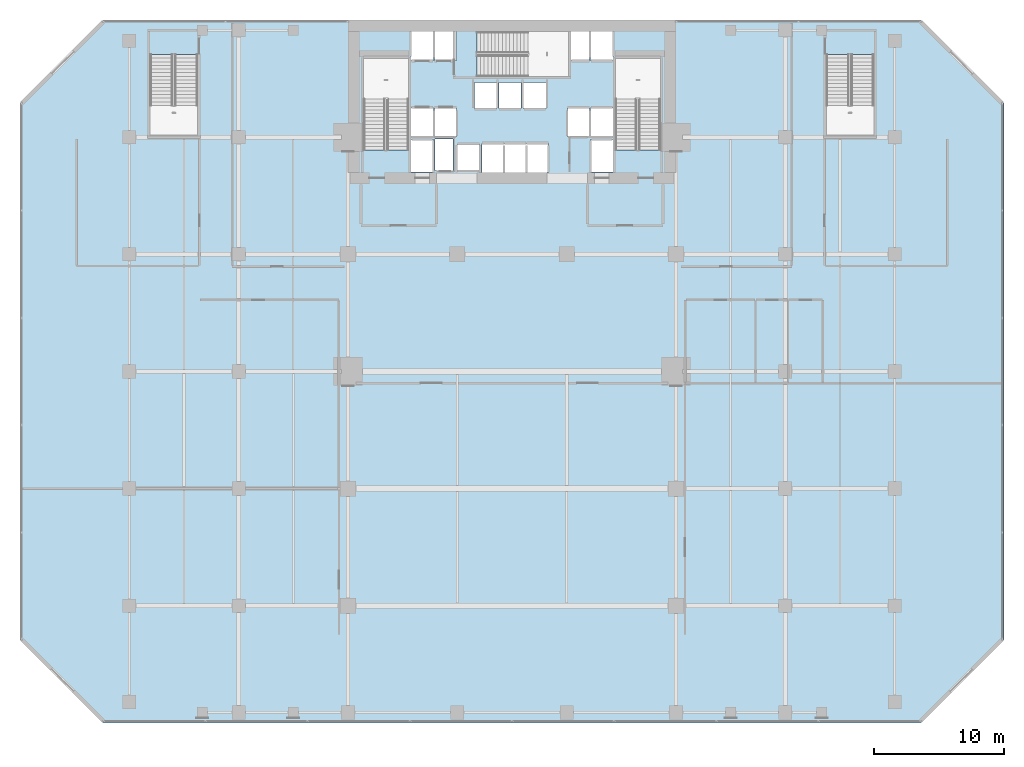
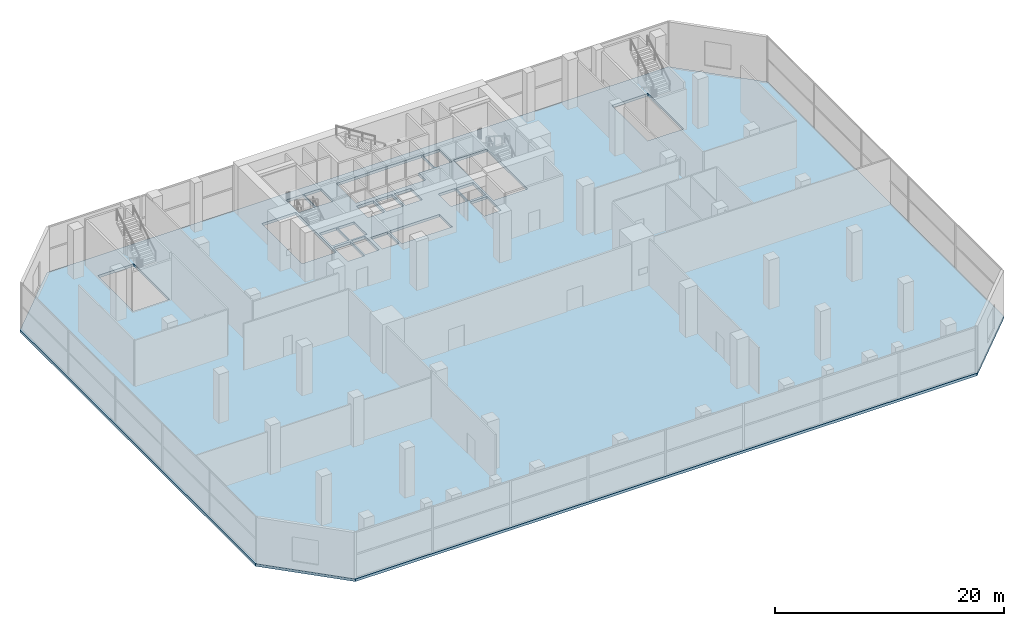
# One storey, part 32 of 40: 1 slab.
"""IFC4 building model written with IfcOpenShell, lengths in metres."""

import ifcopenshell
import ifcopenshell.guid

model = None  # the IFC model being written
_history = None  # IfcOwnerHistory: only IFC2X3 demands one
_inside = {}  # id of a spatial element -> (the spatial element, [elements in it])
_under = {}  # id of a project, library or spatial element -> (it, [spatial elements below it])
_declared = {}  # id of a project -> (the project, [libraries it declares])
_typed = {}  # id of a type object -> (the type object, [elements of that type])
_made_of = {}  # id of a material, layer set ... -> (it, [elements and type objects made of it])


def new_model(schema):
    """Start an empty IFC model of exactly this schema.

    Asked for "IFC4X3", IfcOpenShell would pick the latest addendum, in which some entities
    have other attributes; the version numbers below select the first issue.
    IFC2X3 requires an IfcOwnerHistory on every rooted entity: one is made here for all.
    """
    global model, _history
    if schema == "IFC4X3":
        model = ifcopenshell.file(schema_version=(4, 3, 0, 0))
    else:
        model = ifcopenshell.file(schema=schema)
    _inside.clear()
    _under.clear()
    _declared.clear()
    _typed.clear()
    _made_of.clear()
    _history = None
    if model.schema == "IFC2X3":
        org = make("IfcOrganization", Name="unknown")
        user = make(
            "IfcPersonAndOrganization",
            ThePerson=make("IfcPerson", FamilyName="unknown"),
            TheOrganization=org,
        )
        app = make(
            "IfcApplication",
            ApplicationDeveloper=org,
            Version="unknown",
            ApplicationFullName="unknown",
            ApplicationIdentifier="unknown",
        )
        _history = make(
            "IfcOwnerHistory",
            OwningUser=user,
            OwningApplication=app,
            ChangeAction="ADDED",
            CreationDate=0,
        )
    return model


def make(cls, **values):
    """One entity of the class cls with the attributes given. An attribute that is None is left unset."""
    return model.create_entity(
        cls, **{name: value for name, value in values.items() if value is not None}
    )


def rooted(cls, **values):
    """An entity with a GlobalId (a new one), such as an element, a storey or a relation."""
    return make(cls, GlobalId=ifcopenshell.guid.new(), OwnerHistory=_history, **values)


def si_unit(unit_type, name, prefix=None):
    """IfcSIUnit, for example si_unit("LENGTHUNIT", "METRE", prefix="MILLI")."""
    return make("IfcSIUnit", UnitType=unit_type, Prefix=prefix, Name=name)


def assignment(units):
    """IfcUnitAssignment: the units of a project."""
    return None if units is None else make("IfcUnitAssignment", Units=units)


def point(xyz):
    """IfcCartesianPoint."""
    return None if xyz is None else make("IfcCartesianPoint", Coordinates=xyz)


def direction(xyz):
    """IfcDirection."""
    return None if xyz is None else make("IfcDirection", DirectionRatios=xyz)


def frame(location, z_axis=None, x_axis=None):
    """IfcAxis2Placement3D, a coordinate frame: its origin and axes. An axis left out is left unset."""
    return make(
        "IfcAxis2Placement3D",
        Location=point(location),
        Axis=direction(z_axis),
        RefDirection=direction(x_axis),
    )


def origin():
    """The frame at (0, 0, 0) with its axes left unset."""
    return frame((0.0, 0.0, 0.0))


def place(relative_to, where):
    """IfcLocalPlacement: puts the frame where relative to a parent placement (None: the world)."""
    return make(
        "IfcLocalPlacement", PlacementRelTo=relative_to, RelativePlacement=where
    )


def context(
    kind, dimensions, precision=None, world=None, true_north=None, identifier=None
):
    """IfcGeometricRepresentationContext, for example the 3D "Model" context."""
    return make(
        "IfcGeometricRepresentationContext",
        ContextIdentifier=identifier,
        ContextType=kind,
        CoordinateSpaceDimension=dimensions,
        Precision=precision,
        WorldCoordinateSystem=world,
        TrueNorth=true_north,
    )


def subcontext(parent, identifier, kind, view, scale=None):
    """IfcGeometricRepresentationSubContext, for example "Body" below "Model"."""
    return make(
        "IfcGeometricRepresentationSubContext",
        ContextIdentifier=identifier,
        ContextType=kind,
        ParentContext=parent,
        TargetScale=scale,
        TargetView=view,
    )


def project(units=None, contexts=None):
    """IfcProject with its units and contexts."""
    return rooted(
        "IfcProject",
        Name="project",
        RepresentationContexts=contexts,
        UnitsInContext=assignment(units),
    )


def spatial(cls, under=None, at=None, **own):
    """A site, building, storey or space (cls), placed at a placement, below another one or the project."""
    s = rooted(cls, ObjectPlacement=at, **own)
    if under is not None:
        _under.setdefault(under.id(), (under, []))[1].append(s)
    return s


def polyline(points):
    """IfcPolyline through the points."""
    return make("IfcPolyline", Points=[point(p) for p in points])


def outline(outer, holes=None, kind="AREA"):
    """IfcArbitraryClosedProfileDef: a profile drawn as a closed curve; with holes, ...WithVoids."""
    if holes is None:
        return make("IfcArbitraryClosedProfileDef", ProfileType=kind, OuterCurve=outer)
    return make(
        "IfcArbitraryProfileDefWithVoids",
        ProfileType=kind,
        OuterCurve=outer,
        InnerCurves=holes,
    )


def extrude(swept, where, along, depth):
    """IfcExtrudedAreaSolid: the profile swept, set in the frame where, extruded along a direction by depth."""
    return make(
        "IfcExtrudedAreaSolid",
        SweptArea=swept,
        Position=where,
        ExtrudedDirection=direction(along),
        Depth=depth,
    )


def shape(context_of_items, identifier, shape_type, items):
    """IfcShapeRepresentation: the items that make up one representation, for example the "Body"."""
    return make(
        "IfcShapeRepresentation",
        ContextOfItems=context_of_items,
        RepresentationIdentifier=identifier,
        RepresentationType=shape_type,
        Items=items,
    )


def material(Name=None, Category=None):
    """IfcMaterial."""
    return make("IfcMaterial", Name=Name, Category=Category)


def layer(
    of_material, thickness, ventilated=None, Name=None, Category=None, Priority=None
):
    """IfcMaterialLayer: one layer of a wall or slab, of a material (None: an air gap)."""
    return make(
        "IfcMaterialLayer",
        Material=of_material,
        LayerThickness=thickness,
        IsVentilated=ventilated,
        Name=Name,
        Category=Category,
        Priority=Priority,
    )


def layer_set(layers, Name=None):
    """IfcMaterialLayerSet."""
    return make("IfcMaterialLayerSet", MaterialLayers=layers, LayerSetName=Name)


def made_of(thing, what):
    """Note that an element or type object is made of a material, layer set ...; save() writes the relation."""
    if what is not None:
        _made_of.setdefault(what.id(), (what, []))[1].append(thing)
    return thing


def type_object(cls, material=None, **own):
    """A type object (cls), such as IfcWallType, which elements share."""
    return made_of(rooted(cls, **own), material)


def element(
    cls,
    number,
    at=None,
    inside=None,
    cuts=None,
    type_object=None,
    material=None,
    context=None,
    identifier="Body",
    shape_type=None,
    held_by="IfcProductDefinitionShape",
    body=None,
    shapes=None,
    **own,
):
    """One element of the class cls, such as IfcWall. Its Tag is "e" and its number.

    at: its placement. inside: the storey or other place that contains it. cuts: it is an
    opening in that element (IfcRelVoidsElement). A single representation is given by context,
    identifier, shape_type and body (its items); several are given by shapes. held_by: the class
    of the entity that holds the representations. save() writes the other relations.
    """
    e = rooted(cls, Tag="e%d" % number, ObjectPlacement=at, **own)
    if body is not None:
        shapes = [shape(context, identifier, shape_type, body)]
    if shapes is not None:
        e.Representation = make(held_by, Representations=shapes)
    if inside is not None:
        _inside.setdefault(inside.id(), (inside, []))[1].append(e)
    if cuts is not None:
        rooted(
            "IfcRelVoidsElement", RelatingBuildingElement=cuts, RelatedOpeningElement=e
        )
    if type_object is not None:
        _typed.setdefault(type_object.id(), (type_object, []))[1].append(e)
    return made_of(e, material)


def aggregate(whole, parts):
    """IfcRelAggregates: a whole, such as a stair, and the parts it consists of."""
    return rooted("IfcRelAggregates", RelatingObject=whole, RelatedObjects=parts)


def save(model, path):
    """Write the relations noted so far, then the file.

    IfcRelAggregates (storeys below a building ...), IfcRelContainedInSpatialStructure (elements
    in a storey), IfcRelDefinesByType, IfcRelAssociatesMaterial and IfcRelDeclares: one each for
    every whole, place, type object, material and project.
    """
    for whole, parts in _under.values():
        aggregate(whole, parts)
    for where, things in _inside.values():
        rooted(
            "IfcRelContainedInSpatialStructure",
            RelatedElements=things,
            RelatingStructure=where,
        )
    for kind, things in _typed.values():
        rooted("IfcRelDefinesByType", RelatedObjects=things, RelatingType=kind)
    for what, things in _made_of.values():
        rooted("IfcRelAssociatesMaterial", RelatedObjects=things, RelatingMaterial=what)
    for by, libraries in _declared.values():
        rooted("IfcRelDeclares", RelatingContext=by, RelatedDefinitions=libraries)
    model.write(path)


model = new_model("IFC4")

# Units and contexts
model_context = context("Model", 3, precision=1e-05, world=origin(), true_north=direction((0.0, 1.0)))
body_context = subcontext(model_context, "Body", "Model", "MODEL_VIEW")
ifc_project = project(units=[si_unit("LENGTHUNIT", "METRE"), si_unit("AREAUNIT", "SQUARE_METRE"), si_unit("VOLUMEUNIT", "CUBIC_METRE"), si_unit("PLANEANGLEUNIT", "RADIAN"), si_unit("MASSUNIT", "GRAM", prefix="KILO")], contexts=[model_context])

# Site, building, storey
site_placement = place(None, origin())
site = spatial("IfcSite", under=ifc_project, at=site_placement, CompositionType="ELEMENT")
building_placement = place(site_placement, origin())
building = spatial("IfcBuilding", under=site, at=building_placement, Name="Maruvema Waterfront Hotel and Observation Tower", CompositionType="ELEMENT")
storey_placement = place(building_placement, frame((0.0, 0.0, 5.60009765625)))
storey = spatial("IfcBuildingStorey", under=building, at=storey_placement, Name="L01", CompositionType="ELEMENT", Elevation=5.60009765625)

# Slab
ifc_material = material(Name="Concrete C50/60", Category="concrete")
ifc_layer = layer(ifc_material, 0.280029296875, Name="Reinforced Concrete Floor Slab 280 mm")
ifc_layer_set = layer_set([ifc_layer], Name="Concrete C50/60")
slab_type = type_object("IfcSlabType", Name="Reinforced Concrete Floor Slab 280 mm", PredefinedType="FLOOR", material=ifc_layer_set)
slab_placement = place(storey_placement, frame((0.0, 0.0, -0.280029296875)))
element("IfcSlab", 1, at=slab_placement, inside=storey, type_object=slab_type, Name="L01 Structural Floor Slab", PredefinedType="FLOOR", context=body_context, shape_type="SweptSolid", body=[
    extrude(outline(polyline([(6.39990234375, 0.0), (69.199951171875, 0.0), (75.60009765625, 6.39990234375), (75.60009765625, 47.60009765625), (69.199951171875, 54.0), (6.39990234375, 54.0), (0.0, 47.60009765625), (0.0, 6.39990234375), (6.39990234375, 0.0)]), holes=[polyline([(13.64990234375, 45.10009765625), (10.0, 45.10009765625), (10.0, 51.349365234375), (13.64990234375, 51.349365234375), (13.64990234375, 45.10009765625)]), polyline([(26.39990234375, 51.050048828125), (29.85009765625, 51.050048828125), (29.85009765625, 44.00048828125), (26.39990234375, 44.00048828125), (26.39990234375, 51.050048828125)]), polyline([(30.050048828125, 44.800048828125), (31.75, 44.800048828125), (31.75, 42.320068359375), (30.050048828125, 42.320068359375), (30.050048828125, 44.800048828125)]), polyline([(31.75, 47.25), (31.75, 45.050048828125), (30.050048828125, 45.050048828125), (30.050048828125, 47.25), (31.75, 47.25)]), polyline([(31.75, 53.10009765625), (31.75, 50.89990234375), (30.050048828125, 50.89990234375), (30.050048828125, 53.10009765625), (31.75, 53.10009765625)]), polyline([(33.280029296875, 44.860107421875), (33.280029296875, 42.43994140625), (31.8798828125, 42.43994140625), (31.8798828125, 44.860107421875), (33.280029296875, 44.860107421875)]), polyline([(31.85009765625, 47.25), (33.550048828125, 47.25), (33.550048828125, 45.050048828125), (31.85009765625, 45.050048828125), (31.85009765625, 47.25)]), polyline([(31.85009765625, 53.10009765625), (33.550048828125, 53.10009765625), (33.550048828125, 50.89990234375), (31.85009765625, 50.89990234375), (31.85009765625, 53.10009765625)]), polyline([(33.60009765625, 44.449951171875), (35.300048828125, 44.449951171875), (35.300048828125, 42.449951171875), (33.60009765625, 42.449951171875), (33.60009765625, 44.449951171875)]), polyline([(36.60009765625, 49.199951171875), (36.60009765625, 47.199951171875), (34.89990234375, 47.199951171875), (34.89990234375, 49.199951171875), (36.60009765625, 49.199951171875)]), polyline([(36.800048828125, 49.199951171875), (38.5, 49.199951171875), (38.5, 47.199951171875), (36.800048828125, 47.199951171875), (36.800048828125, 49.199951171875)]), polyline([(35.5, 44.5), (40.60009765625, 44.5), (40.60009765625, 42.300048828125), (35.5, 42.300048828125), (35.5, 44.5)]), polyline([(43.75, 50.89990234375), (42.14990234375, 50.89990234375), (42.14990234375, 49.64990234375), (35.1005859375, 49.64990234375), (35.1005859375, 53.10009765625), (43.75, 53.10009765625), (43.75, 50.89990234375)]), polyline([(40.39990234375, 49.199951171875), (40.39990234375, 47.199951171875), (38.699951171875, 47.199951171875), (38.699951171875, 49.199951171875), (40.39990234375, 49.199951171875)]), polyline([(43.75, 47.25), (43.75, 45.050048828125), (42.050048828125, 45.050048828125), (42.050048828125, 47.25), (43.75, 47.25)]), polyline([(43.85009765625, 44.800048828125), (45.550048828125, 44.800048828125), (45.550048828125, 42.320068359375), (43.85009765625, 42.320068359375), (43.85009765625, 44.800048828125)]), polyline([(45.550048828125, 47.25), (45.550048828125, 45.050048828125), (43.85009765625, 45.050048828125), (43.85009765625, 47.25), (45.550048828125, 47.25)]), polyline([(45.550048828125, 53.10009765625), (45.550048828125, 50.89990234375), (43.85009765625, 50.89990234375), (43.85009765625, 53.10009765625), (45.550048828125, 53.10009765625)]), polyline([(45.75, 44.00048828125), (45.75, 51.050048828125), (49.199951171875, 51.050048828125), (49.199951171875, 44.00048828125), (45.75, 44.00048828125)]), polyline([(65.60009765625, 45.10009765625), (61.949951171875, 45.10009765625), (61.949951171875, 51.349365234375), (65.60009765625, 51.349365234375), (65.60009765625, 45.10009765625)])]), origin(), (0.0, 0.0, 1.0), 0.280029296875),
])

save(model, "model.ifc")
